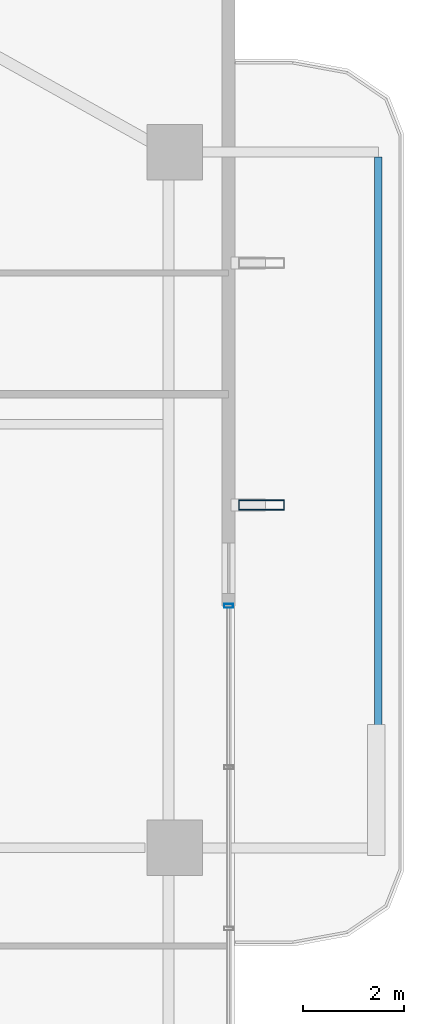
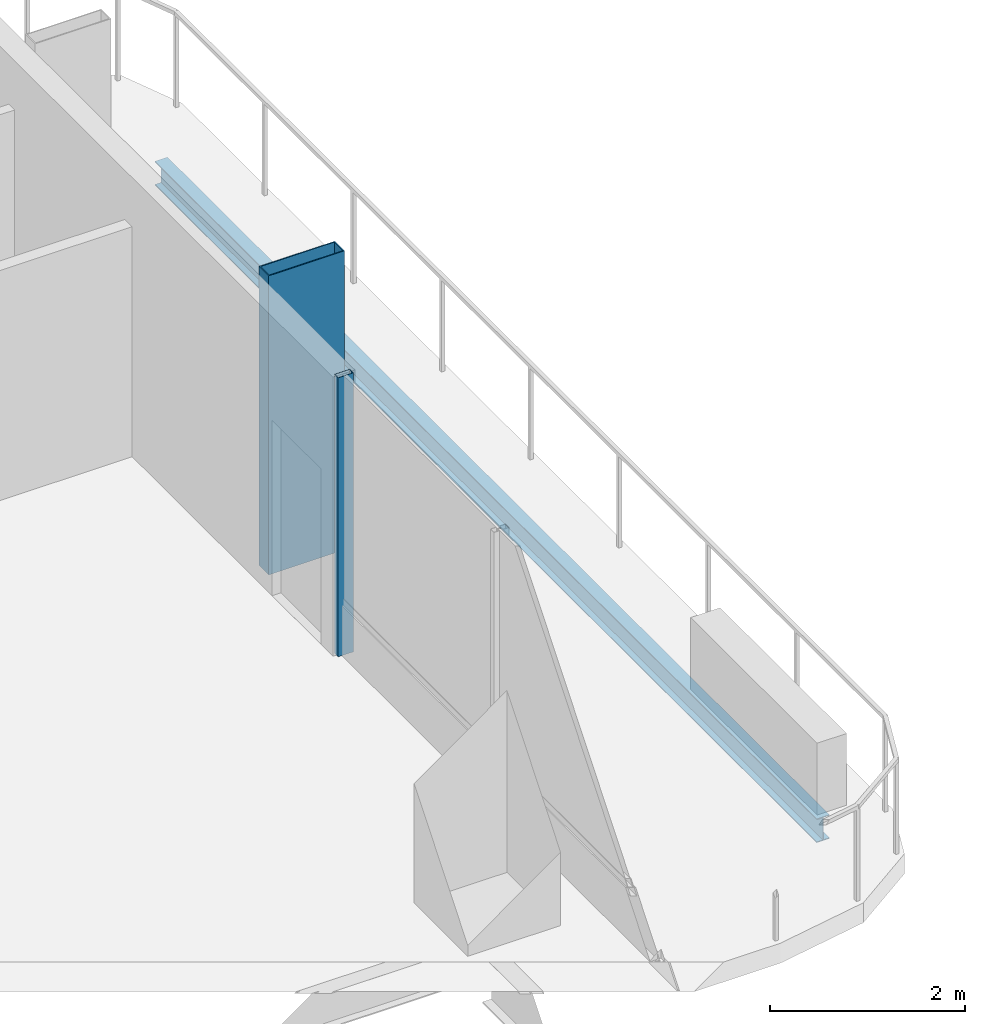
# One storey, part 18 of 29: 2 members, 1 beam, 1 element without a shape of its own.
"""IFC4 building model written with IfcOpenShell, lengths in metres."""

from ifc_helpers import new_model, si_unit, direction, frame, origin, origin_2d, place, context, subcontext, project, spatial, hollow_rectangle, i_section, extrude, material, layer, layer_set, material_profile, profile_set, type_object, element, aggregate, save


model = new_model("IFC4")

# Units and contexts
model_context = context("Model", 3, precision=1e-05, world=origin(), true_north=direction((0.0, 1.0)))
body_context = subcontext(model_context, "Body", "Model", "MODEL_VIEW")
ifc_project = project(units=[si_unit("LENGTHUNIT", "METRE"), si_unit("AREAUNIT", "SQUARE_METRE"), si_unit("VOLUMEUNIT", "CUBIC_METRE"), si_unit("PLANEANGLEUNIT", "RADIAN"), si_unit("MASSUNIT", "GRAM", prefix="KILO")], contexts=[model_context])

# Site, building, storey
site_placement = place(None, origin())
site = spatial("IfcSite", under=ifc_project, at=site_placement, CompositionType="ELEMENT")
building_placement = place(site_placement, origin())
building = spatial("IfcBuilding", under=site, at=building_placement, Name="Belovzor Exchange Tower", CompositionType="ELEMENT")
storey_placement = place(building_placement, frame((0.0, 0.0, 199.949951171875)))
storey = spatial("IfcBuildingStorey", under=building, at=storey_placement, Name="L49", CompositionType="ELEMENT", Elevation=199.949951171875)

# Beam
ifc_material_1 = material(Name="Steel S355", Category="steel")
ifc_material_profile_1 = material_profile(ifc_material_1, i_section(OverallWidth=0.14990234375, OverallDepth=0.300048828125, WebThickness=0.007080078125, FlangeThickness=0.0107421875, at=origin_2d()))
ifc_profile_set_1 = profile_set([ifc_material_profile_1], Name="Steel S355")
beam_type = type_object("IfcBeamType", Name="Planted Balcony Fascia Edge Beam IPE 300", PredefinedType="BEAM", material=ifc_profile_set_1)
beam_placement = place(storey_placement, frame((58.64111328125, 28.89990234375, -0.39990234375), z_axis=(0.0, 1.0, 0.0), x_axis=(-1.0, 0.0, 0.0)))
element("IfcBeam", 1, at=beam_placement, inside=storey, type_object=beam_type, Name="BC-300 Planted Balcony Fascia Edge Beam IPE 300", PredefinedType="BEAM", context=body_context, shape_type="SweptSolid", body=[
    extrude(i_section(OverallWidth=0.14990234375, OverallDepth=0.300048828125, WebThickness=0.007080078125, FlangeThickness=0.0107421875, at=origin_2d()), origin(), (0.0, 0.0, 1.0), 13.60009765625),
])

# Member
ifc_material_2 = material(Name="Extruded Architectural Terracotta on Steel S355 Carrier", Category="masonry")
ifc_material_profile_2 = material_profile(ifc_material_2, hollow_rectangle(XDim=0.199951171875, YDim=0.89990234375, WallThickness=0.011962890625, at=origin_2d()))
ifc_profile_set_2 = profile_set([ifc_material_profile_2], Name="Extruded Architectural Terracotta on Steel S355 Carrier")
member_type_1 = type_object("IfcMemberType", Name="Sweeping Terracotta Baguette Fin Assembly 950", PredefinedType="USERDEFINED", material=ifc_profile_set_2)
member_1_placement = place(storey_placement, frame((56.324951171875, 35.60009765625, -0.25), z_axis=(0.0, 0.0, 1.0), x_axis=(0.0, 1.0, 0.0)))
element("IfcMember", 2, at=member_1_placement, inside=storey, type_object=member_type_1, Name="FIN-TC095 Terracotta Facade Fin L49 E3", ObjectType="FIN", PredefinedType="USERDEFINED", context=body_context, shape_type="SweptSolid", body=[
    extrude(hollow_rectangle(XDim=0.199951171875, YDim=0.89990234375, WallThickness=0.011962890625, at=origin_2d()), origin(), (0.0, 0.0, 1.0), 3.75),
])

# Curtain wall, member
ifc_material_3 = material(Name="Anodised Aluminium Framing", Category="aluminium")
ifc_layer = layer(ifc_material_3, 0.179931640625)
ifc_layer_set = layer_set([ifc_layer], Name="Anodised Aluminium Framing")
curtain_wall_type = type_object("IfcCurtainWallType", Name="Recessed Loggia Low-Iron Triple-Glazed Curtain Wall", PredefinedType="NOTDEFINED", material=ifc_layer_set)
curtain_wall_placement = place(storey_placement, origin())
curtain_wall = element("IfcCurtainWall", 3, at=curtain_wall_placement, inside=storey, type_object=curtain_wall_type, Name="CW3 Recessed Loggia Low-Iron Triple-Glazed Curtain Wall L49", PredefinedType="NOTDEFINED")
ifc_material_4 = material(Name="Steel S355", Category="steel")
ifc_material_profile_3 = material_profile(ifc_material_4, hollow_rectangle(XDim=0.074951171875, YDim=0.179931640625, WallThickness=0.0048828125, at=origin_2d()))
ifc_profile_set_3 = profile_set([ifc_material_profile_3], Name="Steel S355")
member_type_2 = type_object("IfcMemberType", Name="Thermally Broken Curtain Wall Mullion 180x75", PredefinedType="MULLION", material=ifc_profile_set_3)
member_2_placement = place(storey_placement, frame((55.669921875, 33.60009765625, 0.0), z_axis=(0.0, 0.0, 1.0), x_axis=(0.0, -1.0, 0.0)))
member_2 = element("IfcMember", 4, at=member_2_placement, type_object=member_type_2, Name="CW-M180 Curtain Wall Mullion 1", PredefinedType="MULLION", context=body_context, shape_type="SweptSolid", body=[
    extrude(hollow_rectangle(XDim=0.074951171875, YDim=0.179931640625, WallThickness=0.0048828125, at=origin_2d()), origin(), (0.0, 0.0, 1.0), 3.5),
])
aggregate(curtain_wall, [member_2])

save(model, "model.ifc")
